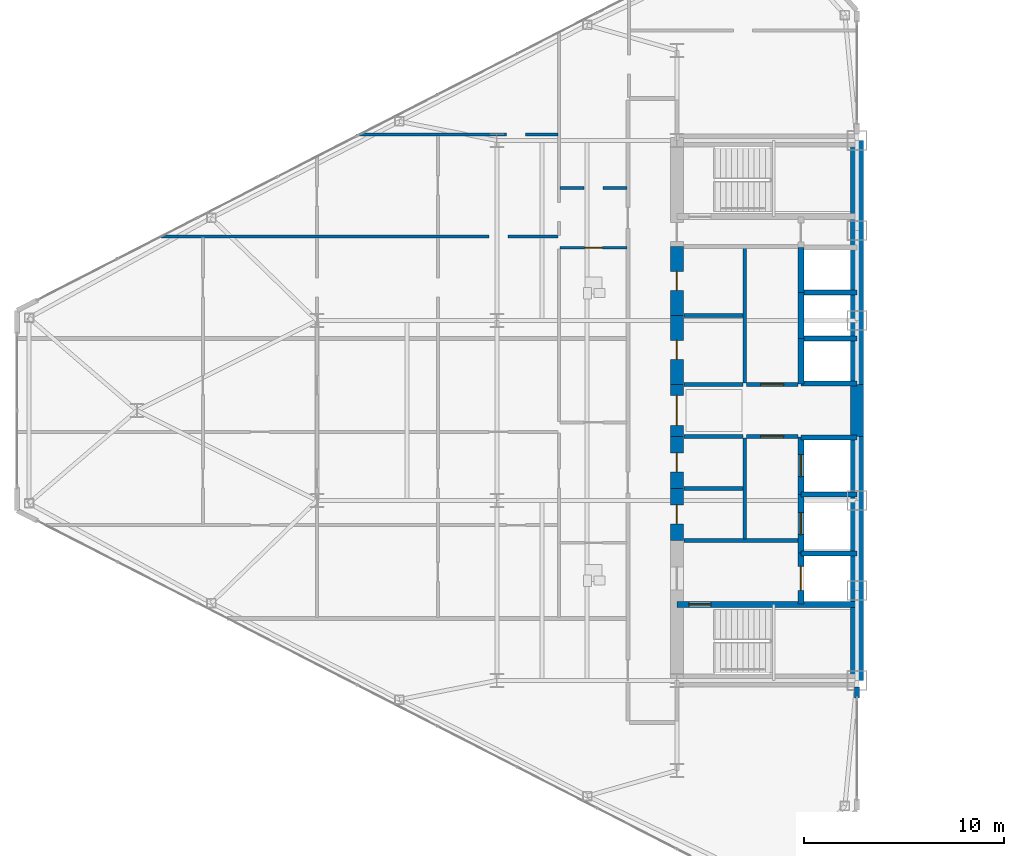
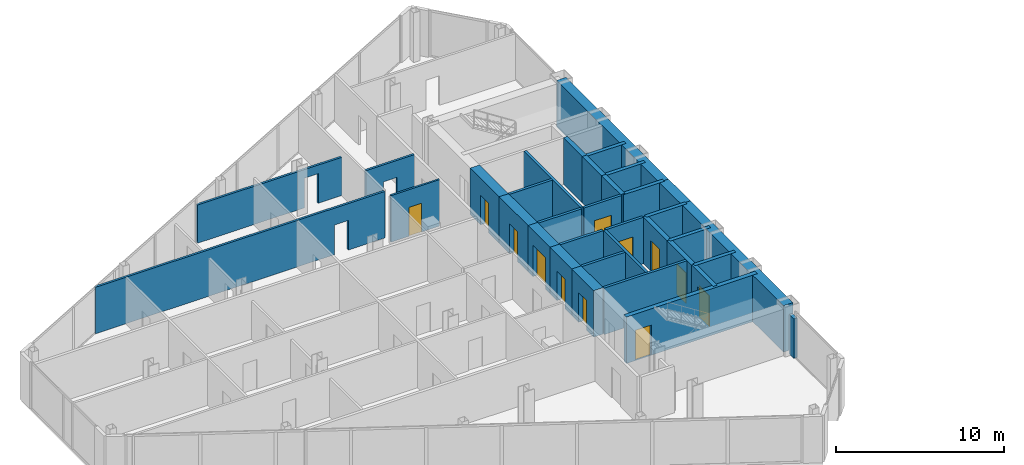
# One storey, part 17 of 24: 35 walls, 12 doors, 15 openings.
"""IFC4 building model written with IfcOpenShell, lengths in metres."""

from ifc_helpers import new_model, si_unit, direction, frame, frame_2d, origin, place, context, subcontext, project, spatial, rectangle, extrude, source, transform, mapped, material, layer, layer_set, type_object, type_shapes, element, fill, save


model = new_model("IFC4")

# Units and contexts
model_context = context("Model", 3, precision=1e-05, world=origin(), true_north=direction((0.0, 1.0)))
body_context = subcontext(model_context, "Body", "Model", "MODEL_VIEW")
ifc_project = project(units=[si_unit("LENGTHUNIT", "METRE"), si_unit("AREAUNIT", "SQUARE_METRE"), si_unit("VOLUMEUNIT", "CUBIC_METRE"), si_unit("PLANEANGLEUNIT", "RADIAN"), si_unit("MASSUNIT", "GRAM", prefix="KILO")], contexts=[model_context])

# Site, building, storey
site_placement = place(None, origin())
site = spatial("IfcSite", under=ifc_project, at=site_placement, CompositionType="ELEMENT")
building_placement = place(site_placement, origin())
building = spatial("IfcBuilding", under=site, at=building_placement, Name="Seokmaru Belvedere", CompositionType="ELEMENT")
storey_placement = place(building_placement, frame((0.0, 0.0, 117.60009765625)))
storey = spatial("IfcBuildingStorey", under=building, at=storey_placement, Name="L31", CompositionType="ELEMENT", Elevation=117.60009765625)

# Wall, opening
ifc_material_1 = material(Name="Fire-Rated Gypsum Shaftwall")
ifc_layer_1 = layer(ifc_material_1, 0.14990234375)
ifc_layer_set_1 = layer_set([ifc_layer_1], Name="Fire-Rated Gypsum Shaftwall")
wall_type_1 = type_object("IfcWallType", Name="Apartment Fire-Acoustic Room Partition 150", PredefinedType="PARTITIONING", material=ifc_layer_set_1)
wall_1_placement = place(storey_placement, frame((-62.321044921875, 8.699951171875, 0.0), z_axis=(0.0, 0.0, 1.0), x_axis=(1.0, 0.0, 0.0)))
wall_1 = element("IfcWall", 1, at=wall_1_placement, inside=storey, type_object=wall_type_1, Name="L31 Interior Partition 020", PredefinedType="PARTITIONING", context=body_context, shape_type="SweptSolid", body=[
    extrude(rectangle(XDim=19.87109375, YDim=0.14990234375, at=frame_2d((9.935546875, 0.0))), origin(), (0.0, 0.0, 1.0), 3.3798828125),
])
opening_1_placement = place(wall_1_placement, frame((16.4208984375, 0.0, 0.0)))
element("IfcOpeningElement", 2, at=opening_1_placement, cuts=wall_1, Name="L31 Cased Opening 020", PredefinedType="OPENING", context=body_context, shape_type="SweptSolid", body=[
    extrude(rectangle(XDim=0.949951171875, YDim=2.14990234375, at=frame_2d((0.47509765625, 1.074951171875))), frame((0.0, 0.0849609375, 0.0), z_axis=(0.0, -1.0, 0.0), x_axis=(1.0, 0.0, 0.0)), (0.0, 0.0, 1.0), 0.169921875),
])

wall_2_placement = place(storey_placement, frame((-42.35009765625, 11.1298828125, 0.0), z_axis=(0.0, 0.0, 1.0), x_axis=(1.0, 0.0, 0.0)))
wall_2 = element("IfcWall", 3, at=wall_2_placement, inside=storey, type_object=wall_type_1, Name="L31 Interior Partition 022", PredefinedType="PARTITIONING", context=body_context, shape_type="SweptSolid", body=[
    extrude(rectangle(XDim=3.35009765625, YDim=0.14990234375, at=frame_2d((1.675048828125, 0.0))), origin(), (0.0, 0.0, 1.0), 3.3798828125),
])
opening_2_placement = place(wall_2_placement, frame((1.199951171875, 0.0, 0.0)))
element("IfcOpeningElement", 4, at=opening_2_placement, cuts=wall_2, Name="L31 Cased Opening 018", PredefinedType="OPENING", context=body_context, shape_type="SweptSolid", body=[
    extrude(rectangle(XDim=0.949951171875, YDim=2.14990234375, at=frame_2d((0.47509765625, 1.074951171875))), frame((0.0, 0.0849609375, 0.0), z_axis=(0.0, -1.0, 0.0), x_axis=(1.0, 0.0, 0.0)), (0.0, 0.0, 1.0), 0.169921875),
])

wall_3_placement = place(storey_placement, frame((-52.3779296875, 13.800048828125, 0.0), z_axis=(0.0, 0.0, 1.0), x_axis=(1.0, 0.0, 0.0)))
wall_3 = element("IfcWall", 5, at=wall_3_placement, inside=storey, type_object=wall_type_1, Name="L31 Interior Partition 023", PredefinedType="PARTITIONING", context=body_context, shape_type="SweptSolid", body=[
    extrude(rectangle(XDim=9.927978515625, YDim=0.14990234375, at=frame_2d((4.9638671875, 0.0))), origin(), (0.0, 0.0, 1.0), 2.77978515625),
])
opening_3_placement = place(wall_3_placement, frame((7.351318359375, 0.0, 0.0)))
element("IfcOpeningElement", 6, at=opening_3_placement, cuts=wall_3, Name="L31 Cased Opening 022", PredefinedType="OPENING", context=body_context, shape_type="SweptSolid", body=[
    extrude(rectangle(XDim=0.949951171875, YDim=2.14990234375, at=frame_2d((0.47509765625, 1.074951171875))), frame((0.0, 0.0849609375, 0.0), z_axis=(0.0, -1.0, 0.0), x_axis=(1.0, 0.0, 0.0)), (0.0, 0.0, 1.0), 0.169921875),
])

# Walls
ifc_layer_2 = layer(ifc_material_1, 0.179931640625)
ifc_layer_set_2 = layer_set([ifc_layer_2], Name="Fire-Rated Gypsum Shaftwall")
wall_type_2 = type_object("IfcWallType", Name="Core Service Fire Partition 180", PredefinedType="PARTITIONING", material=ifc_layer_set_2)
wall_4_placement = place(storey_placement, frame((-36.14990234375, -6.5, 0.0), z_axis=(0.0, 0.0, 1.0), x_axis=(1.0, 0.0, 0.0)))
element("IfcWall", 7, at=wall_4_placement, inside=storey, type_object=wall_type_2, Name="L31 West Firefighting Lobby Partition", PredefinedType="PARTITIONING", context=body_context, shape_type="SweptSolid", body=[
    extrude(rectangle(XDim=5.699951171875, YDim=0.179931640625, at=frame_2d((2.85009765625, 0.0))), origin(), (0.0, 0.0, 1.0), 3.3798828125),
])
wall_5_placement = place(storey_placement, frame((-33.10009765625, -6.419921875, 0.0), z_axis=(0.0, 0.0, 1.0), x_axis=(0.0, 1.0, 0.0)))
element("IfcWall", 8, at=wall_5_placement, inside=storey, type_object=wall_type_2, Name="L31 West South Core Service Back Wall", PredefinedType="PARTITIONING", context=body_context, shape_type="SweptSolid", body=[
    extrude(rectangle(XDim=5.0400390625, YDim=0.179931640625, at=frame_2d((2.52001953125, 0.0))), origin(), (0.0, 0.0, 1.0), 3.3798828125),
])
wall_6_placement = place(storey_placement, frame((-33.10009765625, 1.3798828125, 0.0), z_axis=(0.0, 0.0, 1.0), x_axis=(0.0, 1.0, 0.0)))
element("IfcWall", 9, at=wall_6_placement, inside=storey, type_object=wall_type_2, Name="L31 West North Core Service Back Wall", PredefinedType="PARTITIONING", context=body_context, shape_type="SweptSolid", body=[
    extrude(rectangle(XDim=6.740234375, YDim=0.179931640625, at=frame_2d((3.3701171875, 0.0))), origin(), (0.0, 0.0, 1.0), 3.3798828125),
])

# Wall, opening, door
wall_7_placement = place(storey_placement, frame((-33.02001953125, -1.300048828125, 0.0), z_axis=(0.0, 0.0, 1.0), x_axis=(1.0, 0.0, 0.0)))
wall_7 = element("IfcWall", 10, at=wall_7_placement, inside=storey, type_object=wall_type_2, Name="L31 West South Lift Lobby Foyer Wall", PredefinedType="PARTITIONING", context=body_context, shape_type="SweptSolid", body=[
    extrude(rectangle(XDim=2.570068359375, YDim=0.179931640625, at=frame_2d((1.28515625, 0.0))), origin(), (0.0, 0.0, 1.0), 3.3798828125),
])
opening_4_placement = place(wall_7_placement, frame((0.7099609375, 0.0, 0.0)))
opening_4 = element("IfcOpeningElement", 11, at=opening_4_placement, cuts=wall_7, Name="Opening D02", PredefinedType="OPENING", context=body_context, shape_type="SweptSolid", body=[
    extrude(rectangle(XDim=1.14990234375, YDim=2.199951171875, at=frame_2d((0.574951171875, 1.10009765625))), frame((0.0, 0.10009765625, 0.0), z_axis=(0.0, -1.0, 0.0), x_axis=(1.0, 0.0, 0.0)), (0.0, 0.0, 1.0), 0.199951171875),
])
ifc_material_2 = material(Name="Fire-Rated Steel Leaf", Category="steel")
door_type_1 = type_object("IfcDoorType", Name="Lobby and Vestibule Fire Door 1150x2200", OperationType="NOTDEFINED", PredefinedType="DOOR", material=ifc_material_2)
shared_shape_1 = source(origin(), body_context, "Body", "SweptSolid", [
    extrude(rectangle(XDim=1.14990234375, YDim=2.199951171875, at=frame_2d((0.574951171875, 1.10009765625))), frame((0.0, 0.02490234375, 0.0), z_axis=(0.0, -1.0, 0.0), x_axis=(1.0, 0.0, 0.0)), (0.0, 0.0, 1.0), 0.050048828125),
])
type_shapes(door_type_1, [shared_shape_1])
door_1_placement = place(opening_4_placement, origin())
door_1 = element("IfcDoor", 12, at=door_1_placement, inside=storey, type_object=door_type_1, Name="L31 West South Core Foyer Door", OperationType="SINGLE_SWING_LEFT", OverallHeight=2.199951171875, OverallWidth=1.14990234375, PredefinedType="DOOR", context=body_context, shape_type="MappedRepresentation", body=[
    mapped(shared_shape_1, transform((0.0, 0.0, 0.0), scale=1.0)),
])
fill(opening_4, door_1)

wall_8_placement = place(storey_placement, frame((-33.02001953125, 1.300048828125, 0.0), z_axis=(0.0, 0.0, 1.0), x_axis=(1.0, 0.0, 0.0)))
wall_8 = element("IfcWall", 13, at=wall_8_placement, inside=storey, type_object=wall_type_2, Name="L31 West North Lift Lobby Foyer Wall", PredefinedType="PARTITIONING", context=body_context, shape_type="SweptSolid", body=[
    extrude(rectangle(XDim=2.570068359375, YDim=0.179931640625, at=frame_2d((1.28515625, 0.0))), origin(), (0.0, 0.0, 1.0), 3.3798828125),
])
opening_5_placement = place(wall_8_placement, frame((0.7099609375, 0.0, 0.0)))
opening_5 = element("IfcOpeningElement", 14, at=opening_5_placement, cuts=wall_8, Name="Opening D02", PredefinedType="OPENING", context=body_context, shape_type="SweptSolid", body=[
    extrude(rectangle(XDim=1.14990234375, YDim=2.199951171875, at=frame_2d((0.574951171875, 1.10009765625))), frame((0.0, 0.10009765625, 0.0), z_axis=(0.0, -1.0, 0.0), x_axis=(1.0, 0.0, 0.0)), (0.0, 0.0, 1.0), 0.199951171875),
])
door_2_placement = place(opening_5_placement, origin())
door_2 = element("IfcDoor", 15, at=door_2_placement, inside=storey, type_object=door_type_1, Name="L31 West North Lift Lobby Door", OperationType="SINGLE_SWING_RIGHT", OverallHeight=2.199951171875, OverallWidth=1.14990234375, PredefinedType="DOOR", context=body_context, shape_type="MappedRepresentation", body=[
    mapped(shared_shape_1, transform((0.0, 0.0, 0.0), scale=1.0)),
])
fill(opening_5, door_2)

# Walls
for number, where, z_axis, x_axis, name in (
    (16, (-36.14990234375, -1.300048828125, 0.0), (0.0, 0.0, 1.0), (1.0, 0.0, 0.0), "L31 West Foyer Side Wall S"),
    (17, (-36.14990234375, 1.300048828125, 0.0), (0.0, 0.0, 1.0), (1.0, 0.0, 0.0), "L31 West Foyer Side Wall N"),
    (18, (-36.14990234375, -3.89990234375, 0.0), (0.0, 0.0, 1.0), (1.0, 0.0, 0.0), "L31 West Core Service Partition 1"),
    (19, (-36.14990234375, 4.75, 0.0), (0.0, 0.0, 1.0), (1.0, 0.0, 0.0), "L31 West Core Service Partition 2"),
):
    element("IfcWall", number, at=place(storey_placement, frame(where, z_axis=z_axis, x_axis=x_axis)), inside=storey, type_object=wall_type_2, Name=name, PredefinedType="PARTITIONING", context=body_context, shape_type="SweptSolid", body=[
        extrude(rectangle(XDim=2.949951171875, YDim=0.179931640625, at=frame_2d((1.47509765625, 0.0))), origin(), (0.0, 0.0, 1.0), 3.3798828125),
    ])
ifc_material_3 = material(Name="Concrete C50 (50 MPa)", Category="concrete")
ifc_layer_3 = layer(ifc_material_3, 0.25)
ifc_layer_set_3 = layer_set([ifc_layer_3], Name="Concrete C50 (50 MPa)")
wall_type_3 = type_object("IfcWallType", Name="Hoistway Transverse Concrete Divider Wall 250", PredefinedType="SHEAR", material=ifc_layer_set_3)
for number, where, z_axis, x_axis, name in (
    (20, (-30.300048828125, -7.14990234375, 0.0), (0.0, 0.0, 1.0), (1.0, 0.0, 0.0), "L31 West Hoistway Divider Core Wall 1"),
    (21, (-30.300048828125, -4.199951171875, 0.0), (0.0, 0.0, 1.0), (1.0, 0.0, 0.0), "L31 West Hoistway Divider Core Wall 2"),
    (22, (-30.300048828125, -1.35009765625, 0.0), (0.0, 0.0, 1.0), (1.0, 0.0, 0.0), "L31 West Hoistway Divider Core Wall 3"),
    (23, (-30.300048828125, 1.35009765625, 0.0), (0.0, 0.0, 1.0), (1.0, 0.0, 0.0), "L31 West Hoistway Divider Core Wall 4"),
    (24, (-30.300048828125, 3.60009765625, 0.0), (0.0, 0.0, 1.0), (1.0, 0.0, 0.0), "L31 West Hoistway Divider Core Wall 5"),
    (25, (-30.300048828125, 5.89990234375, 0.0), (0.0, 0.0, 1.0), (1.0, 0.0, 0.0), "L31 West Hoistway Divider Core Wall 6"),
):
    element("IfcWall", number, at=place(storey_placement, frame(where, z_axis=z_axis, x_axis=x_axis)), inside=storey, type_object=wall_type_3, Name=name, PredefinedType="SHEAR", context=body_context, shape_type="SweptSolid", body=[
        extrude(rectangle(XDim=2.800048828125, YDim=0.25, at=frame_2d((1.39990234375, 0.0))), origin(), (0.0, 0.0, 1.0), 3.3798828125),
    ])

# Wall, opening, door
ifc_layer_4 = layer(ifc_material_3, 0.300048828125)
ifc_layer_set_4 = layer_set([ifc_layer_4], Name="Concrete C50 (50 MPa)")
wall_type_4 = type_object("IfcWallType", Name="Internal Core Stair and Hoistway Wall 300", PredefinedType="SHEAR", material=ifc_layer_set_4)
wall_9_placement = place(storey_placement, frame((-36.5, -9.699951171875, 0.0), z_axis=(0.0, 0.0, 1.0), x_axis=(1.0, 0.0, 0.0)))
wall_9 = element("IfcWall", 26, at=wall_9_placement, inside=storey, type_object=wall_type_4, Name="L31 West Stair ST-1 Enclosure Wall", PredefinedType="SHEAR", context=body_context, shape_type="SweptSolid", body=[
    extrude(rectangle(XDim=9.0, YDim=0.300048828125, at=frame_2d((4.5, 0.0))), origin(), (0.0, 0.0, 1.0), 3.3798828125),
])
opening_6_placement = place(wall_9_placement, frame((0.60009765625, 0.0, 0.0)))
opening_6 = element("IfcOpeningElement", 27, at=opening_6_placement, cuts=wall_9, Name="Opening D01", PredefinedType="OPENING", context=body_context, shape_type="SweptSolid", body=[
    extrude(rectangle(XDim=1.10009765625, YDim=2.199951171875, at=frame_2d((0.550048828125, 1.10009765625))), frame((0.0, 0.16015625, 0.0), z_axis=(0.0, -1.0, 0.0), x_axis=(1.0, 0.0, 0.0)), (0.0, 0.0, 1.0), 0.320068359375),
])
door_type_2 = type_object("IfcDoorType", Name="Special Escape Stair Smokeproof Fire Door 1100x2200", OperationType="NOTDEFINED", PredefinedType="DOOR", material=ifc_material_2)
shared_shape_2 = source(origin(), body_context, "Body", "SweptSolid", [
    extrude(rectangle(XDim=1.10009765625, YDim=2.199951171875, at=frame_2d((0.550048828125, 1.10009765625))), frame((0.0, 0.02490234375, 0.0), z_axis=(0.0, -1.0, 0.0), x_axis=(1.0, 0.0, 0.0)), (0.0, 0.0, 1.0), 0.050048828125),
])
type_shapes(door_type_2, [shared_shape_2])
door_3_placement = place(opening_6_placement, frame((1.10009765625, 0.0, 0.0), z_axis=(0.0, 0.0, 1.0), x_axis=(-1.0, 0.0, 0.0)))
door_3 = element("IfcDoor", 28, at=door_3_placement, inside=storey, type_object=door_type_2, Name="L31 West Special Escape Stair ST-1 Door", OperationType="SINGLE_SWING_LEFT", OverallHeight=2.199951171875, OverallWidth=1.10009765625, PredefinedType="DOOR", context=body_context, shape_type="MappedRepresentation", body=[
    mapped(shared_shape_2, transform((0.0, 0.0, 0.0), scale=1.0)),
])
fill(opening_6, door_3)

wall_10_placement = place(storey_placement, frame((-30.300048828125, -9.679931640625, 0.0), z_axis=(0.0, 0.0, 1.0), x_axis=(0.0, 1.0, 0.0)))
wall_10 = element("IfcWall", 29, at=wall_10_placement, inside=storey, type_object=wall_type_4, Name="L31 West Firefighting Lift Shaft Front Wall", PredefinedType="SHEAR", context=body_context, shape_type="SweptSolid", body=[
    extrude(rectangle(XDim=2.559814453125, YDim=0.300048828125, at=frame_2d((1.27978515625, 0.0))), origin(), (0.0, 0.0, 1.0), 3.3798828125),
])
opening_7_placement = place(wall_10_placement, frame((0.679931640625, 0.0, 0.0)))
opening_7 = element("IfcOpeningElement", 30, at=opening_7_placement, cuts=wall_10, Name="Opening LD2", PredefinedType="OPENING", context=body_context, shape_type="SweptSolid", body=[
    extrude(rectangle(XDim=1.199951171875, YDim=2.25, at=frame_2d((0.60009765625, 1.125))), frame((0.0, 0.16015625, 0.0), z_axis=(0.0, -1.0, 0.0), x_axis=(1.0, 0.0, 0.0)), (0.0, 0.0, 1.0), 0.320068359375),
])
ifc_material_4 = material(Name="Stainless Steel 316", Category="steel")
door_type_3 = type_object("IfcDoorType", Name="Firefighting Lift Sliding Landing Door 1200x2250", OperationType="DOUBLE_DOOR_SLIDING", PredefinedType="DOOR", material=ifc_material_4)
shared_shape_3 = source(origin(), body_context, "Body", "SweptSolid", [
    extrude(rectangle(XDim=1.199951171875, YDim=2.25, at=frame_2d((0.60009765625, 1.125))), frame((0.0, 0.02490234375, 0.0), z_axis=(0.0, -1.0, 0.0), x_axis=(1.0, 0.0, 0.0)), (0.0, 0.0, 1.0), 0.050048828125),
])
type_shapes(door_type_3, [shared_shape_3])
door_4_placement = place(opening_7_placement, origin())
door_4 = element("IfcDoor", 31, at=door_4_placement, inside=storey, type_object=door_type_3, Name="L31 West Firefighting Lift Landing Door", OperationType="DOUBLE_DOOR_SLIDING", OverallHeight=2.25, OverallWidth=1.199951171875, PredefinedType="DOOR", context=body_context, shape_type="MappedRepresentation", body=[
    mapped(shared_shape_3, transform((0.0, 0.0, 0.0), scale=1.0)),
])
fill(opening_7, door_4)

wall_11_placement = place(storey_placement, frame((-30.300048828125, -7.1201171875, 0.0), z_axis=(0.0, 0.0, 1.0), x_axis=(0.0, 1.0, 0.0)))
wall_11 = element("IfcWall", 32, at=wall_11_placement, inside=storey, type_object=wall_type_4, Name="L31 West Low-Rise Lift PL-1 Front Wall", PredefinedType="SHEAR", context=body_context, shape_type="SweptSolid", body=[
    extrude(rectangle(XDim=2.920166015625, YDim=0.300048828125, at=frame_2d((1.4599609375, 0.0))), origin(), (0.0, 0.0, 1.0), 3.3798828125),
])
opening_8_placement = place(wall_11_placement, frame((0.909912109375, 0.0, 0.0)))
opening_8 = element("IfcOpeningElement", 33, at=opening_8_placement, cuts=wall_11, Name="Opening LD1", PredefinedType="OPENING", context=body_context, shape_type="SweptSolid", body=[
    extrude(rectangle(XDim=1.10009765625, YDim=2.199951171875, at=frame_2d((0.550048828125, 1.10009765625))), frame((0.0, 0.16015625, 0.0), z_axis=(0.0, -1.0, 0.0), x_axis=(1.0, 0.0, 0.0)), (0.0, 0.0, 1.0), 0.320068359375),
])
door_type_4 = type_object("IfcDoorType", Name="Passenger Lift Sliding Landing Door 1100x2200", OperationType="DOUBLE_DOOR_SLIDING", PredefinedType="DOOR", material=ifc_material_4)
shared_shape_4 = source(origin(), body_context, "Body", "SweptSolid", [
    extrude(rectangle(XDim=1.10009765625, YDim=2.199951171875, at=frame_2d((0.550048828125, 1.10009765625))), frame((0.0, 0.02490234375, 0.0), z_axis=(0.0, -1.0, 0.0), x_axis=(1.0, 0.0, 0.0)), (0.0, 0.0, 1.0), 0.050048828125),
])
type_shapes(door_type_4, [shared_shape_4])
door_5_placement = place(opening_8_placement, origin())
door_5 = element("IfcDoor", 34, at=door_5_placement, inside=storey, type_object=door_type_4, Name="L31 West Low-Rise Lift PL-1 Landing Door", OperationType="DOUBLE_DOOR_SLIDING", OverallHeight=2.199951171875, OverallWidth=1.10009765625, PredefinedType="DOOR", context=body_context, shape_type="MappedRepresentation", body=[
    mapped(shared_shape_4, transform((0.0, 0.0, 0.0), scale=1.0)),
])
fill(opening_8, door_5)

wall_12_placement = place(storey_placement, frame((-30.300048828125, -4.199951171875, 0.0), z_axis=(0.0, 0.0, 1.0), x_axis=(0.0, 1.0, 0.0)))
wall_12 = element("IfcWall", 35, at=wall_12_placement, inside=storey, type_object=wall_type_4, Name="L31 West Low-Rise Lift PL-2 Front Wall", PredefinedType="SHEAR", context=body_context, shape_type="SweptSolid", body=[
    extrude(rectangle(XDim=2.8798828125, YDim=0.300048828125, at=frame_2d((1.43994140625, 0.0))), origin(), (0.0, 0.0, 1.0), 3.3798828125),
])
opening_9_placement = place(wall_12_placement, frame((0.889892578125, 0.0, 0.0)))
opening_9 = element("IfcOpeningElement", 36, at=opening_9_placement, cuts=wall_12, Name="Opening LD1", PredefinedType="OPENING", context=body_context, shape_type="SweptSolid", body=[
    extrude(rectangle(XDim=1.10009765625, YDim=2.199951171875, at=frame_2d((0.550048828125, 1.10009765625))), frame((0.0, 0.16015625, 0.0), z_axis=(0.0, -1.0, 0.0), x_axis=(1.0, 0.0, 0.0)), (0.0, 0.0, 1.0), 0.320068359375),
])
door_6_placement = place(opening_9_placement, origin())
door_6 = element("IfcDoor", 37, at=door_6_placement, inside=storey, type_object=door_type_4, Name="L31 West Low-Rise Lift PL-2 Landing Door", OperationType="DOUBLE_DOOR_SLIDING", OverallHeight=2.199951171875, OverallWidth=1.10009765625, PredefinedType="DOOR", context=body_context, shape_type="MappedRepresentation", body=[
    mapped(shared_shape_4, transform((0.0, 0.0, 0.0), scale=1.0)),
])
fill(opening_9, door_6)

# Walls
wall_13_placement = place(storey_placement, frame((-30.300048828125, 1.320068359375, 0.0), z_axis=(0.0, 0.0, 1.0), x_axis=(0.0, 1.0, 0.0)))
element("IfcWall", 38, at=wall_13_placement, inside=storey, type_object=wall_type_4, Name="L31 West North Hoistway Wall PH1", PredefinedType="SHEAR", context=body_context, shape_type="SweptSolid", body=[
    extrude(rectangle(XDim=2.280029296875, YDim=0.300048828125, at=frame_2d((1.14013671875, 0.0))), origin(), (0.0, 0.0, 1.0), 3.3798828125),
])
wall_14_placement = place(storey_placement, frame((-30.300048828125, 3.60009765625, 0.0), z_axis=(0.0, 0.0, 1.0), x_axis=(0.0, 1.0, 0.0)))
element("IfcWall", 39, at=wall_14_placement, inside=storey, type_object=wall_type_4, Name="L31 West North Hoistway Wall PH2", PredefinedType="SHEAR", context=body_context, shape_type="SweptSolid", body=[
    extrude(rectangle(XDim=2.2998046875, YDim=0.300048828125, at=frame_2d((1.14990234375, 0.0))), origin(), (0.0, 0.0, 1.0), 3.3798828125),
])
wall_15_placement = place(storey_placement, frame((-30.300048828125, 5.89990234375, 0.0), z_axis=(0.0, 0.0, 1.0), x_axis=(0.0, 1.0, 0.0)))
element("IfcWall", 40, at=wall_15_placement, inside=storey, type_object=wall_type_4, Name="L31 West North Hoistway Wall OBS", PredefinedType="SHEAR", context=body_context, shape_type="SweptSolid", body=[
    extrude(rectangle(XDim=2.25, YDim=0.300048828125, at=frame_2d((1.125, 0.0))), origin(), (0.0, 0.0, 1.0), 3.3798828125),
])
ifc_material_5 = material(Name="Concrete C60 (60 MPa)", Category="concrete")
ifc_layer_5 = layer(ifc_material_5, 0.64990234375)
ifc_layer_set_5 = layer_set([ifc_layer_5], Name="Concrete C60 (60 MPa)")
wall_type_5 = type_object("IfcWallType", Name="Mid-Low Reinforced Concrete Core Wall 650", PredefinedType="SHEAR", material=ifc_layer_set_5)
for number, where, z_axis, x_axis, name in (
    (41, (-27.5, -13.5, 0.0), (0.0, 0.0, 1.0), (0.0, 1.0, 0.0), "L31 West Portal Spine Core Wall South"),
    (42, (-27.5, 1.300048828125, 0.0), (0.0, 0.0, 1.0), (0.0, 1.0, 0.0), "L31 West Portal Spine Core Wall North"),
):
    element("IfcWall", number, at=place(storey_placement, frame(where, z_axis=z_axis, x_axis=x_axis)), inside=storey, type_object=wall_type_5, Name=name, PredefinedType="SHEAR", context=body_context, shape_type="SweptSolid", body=[
        extrude(rectangle(XDim=12.199951171875, YDim=0.64990234375, at=frame_2d((6.10009765625, 0.0))), origin(), (0.0, 0.0, 1.0), 3.3798828125),
    ])
wall_16_placement = place(storey_placement, frame((-27.5, -1.300048828125, 0.0), z_axis=(0.0, 0.0, 1.0), x_axis=(0.0, 1.0, 0.0)))
element("IfcWall", 43, at=wall_16_placement, inside=storey, type_object=wall_type_5, Name="L31 West Portal Spine Core Wall Center", PredefinedType="SHEAR", context=body_context, shape_type="SweptSolid", body=[
    extrude(rectangle(XDim=2.60009765625, YDim=0.64990234375, at=frame_2d((1.300048828125, 0.0))), origin(), (0.0, 0.0, 1.0), 3.3798828125),
])

# Wall, opening, door
wall_17_placement = place(storey_placement, frame((-36.5, -1.300048828125, 0.0), z_axis=(0.0, 0.0, 1.0), x_axis=(0.0, 1.0, 0.0)))
wall_17 = element("IfcWall", 44, at=wall_17_placement, inside=storey, type_object=wall_type_5, Name="L31 West West Core Wall FOY", PredefinedType="SHEAR", context=body_context, shape_type="SweptSolid", body=[
    extrude(rectangle(XDim=2.60009765625, YDim=0.64990234375, at=frame_2d((1.300048828125, 0.0))), origin(), (0.0, 0.0, 1.0), 3.3798828125),
])
opening_10_placement = place(wall_17_placement, frame((0.550048828125, 0.0, 0.0)))
opening_10 = element("IfcOpeningElement", 45, at=opening_10_placement, cuts=wall_17, Name="Opening D08", PredefinedType="OPENING", context=body_context, shape_type="SweptSolid", body=[
    extrude(rectangle(XDim=1.5, YDim=2.300048828125, at=frame_2d((0.75, 1.14990234375))), frame((0.0, 0.3349609375, 0.0), z_axis=(0.0, -1.0, 0.0), x_axis=(1.0, 0.0, 0.0)), (0.0, 0.0, 1.0), 0.669921875),
])
door_type_5 = type_object("IfcDoorType", Name="Cross-Corridor Compartment Double Fire Door 1500x2300", OperationType="DOUBLE_SWING_LEFT", PredefinedType="DOOR", material=ifc_material_2)
shared_shape_5 = source(origin(), body_context, "Body", "SweptSolid", [
    extrude(rectangle(XDim=1.5, YDim=2.300048828125, at=frame_2d((0.75, 1.14990234375))), frame((0.0, 0.02490234375, 0.0), z_axis=(0.0, -1.0, 0.0), x_axis=(1.0, 0.0, 0.0)), (0.0, 0.0, 1.0), 0.050048828125),
])
type_shapes(door_type_5, [shared_shape_5])
door_7_placement = place(opening_10_placement, origin())
door_7 = element("IfcDoor", 46, at=door_7_placement, inside=storey, type_object=door_type_5, Name="L31 West Core Foyer Compartment Door", OperationType="DOUBLE_SWING_LEFT", OverallHeight=2.300048828125, OverallWidth=1.5, PredefinedType="DOOR", context=body_context, shape_type="MappedRepresentation", body=[
    mapped(shared_shape_5, transform((0.0, 0.0, 0.0), scale=1.0)),
])
fill(opening_10, door_7)

wall_18_placement = place(storey_placement, frame((-36.5, -6.5, 0.0), z_axis=(0.0, 0.0, 1.0), x_axis=(0.0, 1.0, 0.0)))
wall_18 = element("IfcWall", 47, at=wall_18_placement, inside=storey, type_object=wall_type_5, Name="L31 West West Core Wall CS1", PredefinedType="SHEAR", context=body_context, shape_type="SweptSolid", body=[
    extrude(rectangle(XDim=2.60009765625, YDim=0.64990234375, at=frame_2d((1.300048828125, 0.0))), origin(), (0.0, 0.0, 1.0), 3.3798828125),
])
opening_11_placement = place(wall_18_placement, frame((0.824951171875, 0.0, 0.0)))
opening_11 = element("IfcOpeningElement", 48, at=opening_11_placement, cuts=wall_18, Name="Opening D04", PredefinedType="OPENING", context=body_context, shape_type="SweptSolid", body=[
    extrude(rectangle(XDim=0.949951171875, YDim=2.14990234375, at=frame_2d((0.47509765625, 1.074951171875))), frame((0.0, 0.3349609375, 0.0), z_axis=(0.0, -1.0, 0.0), x_axis=(1.0, 0.0, 0.0)), (0.0, 0.0, 1.0), 0.669921875),
])
door_type_6 = type_object("IfcDoorType", Name="Core Service Room Fire Door 950x2150", OperationType="NOTDEFINED", PredefinedType="DOOR", material=ifc_material_2)
shared_shape_6 = source(origin(), body_context, "Body", "SweptSolid", [
    extrude(rectangle(XDim=0.949951171875, YDim=2.14990234375, at=frame_2d((0.47509765625, 1.074951171875))), frame((0.0, 0.02490234375, 0.0), z_axis=(0.0, -1.0, 0.0), x_axis=(1.0, 0.0, 0.0)), (0.0, 0.0, 1.0), 0.050048828125),
])
type_shapes(door_type_6, [shared_shape_6])
door_8_placement = place(opening_11_placement, origin())
door_8 = element("IfcDoor", 49, at=door_8_placement, inside=storey, type_object=door_type_6, Name="L31 West Core Service Room Door 1", OperationType="SINGLE_SWING_LEFT", OverallHeight=2.14990234375, OverallWidth=0.949951171875, PredefinedType="DOOR", context=body_context, shape_type="MappedRepresentation", body=[
    mapped(shared_shape_6, transform((0.0, 0.0, 0.0), scale=1.0)),
])
fill(opening_11, door_8)

wall_19_placement = place(storey_placement, frame((-36.5, -3.89990234375, 0.0), z_axis=(0.0, 0.0, 1.0), x_axis=(0.0, 1.0, 0.0)))
wall_19 = element("IfcWall", 50, at=wall_19_placement, inside=storey, type_object=wall_type_5, Name="L31 West West Core Wall CS2", PredefinedType="SHEAR", context=body_context, shape_type="SweptSolid", body=[
    extrude(rectangle(XDim=2.599853515625, YDim=0.64990234375, at=frame_2d((1.2998046875, 0.0))), origin(), (0.0, 0.0, 1.0), 3.3798828125),
])
opening_12_placement = place(wall_19_placement, frame((0.824951171875, 0.0, 0.0)))
opening_12 = element("IfcOpeningElement", 51, at=opening_12_placement, cuts=wall_19, Name="Opening D04", PredefinedType="OPENING", context=body_context, shape_type="SweptSolid", body=[
    extrude(rectangle(XDim=0.949951171875, YDim=2.14990234375, at=frame_2d((0.47509765625, 1.074951171875))), frame((0.0, 0.3349609375, 0.0), z_axis=(0.0, -1.0, 0.0), x_axis=(1.0, 0.0, 0.0)), (0.0, 0.0, 1.0), 0.669921875),
])
door_9_placement = place(opening_12_placement, origin())
door_9 = element("IfcDoor", 52, at=door_9_placement, inside=storey, type_object=door_type_6, Name="L31 West Core Service Room Door 2", OperationType="SINGLE_SWING_RIGHT", OverallHeight=2.14990234375, OverallWidth=0.949951171875, PredefinedType="DOOR", context=body_context, shape_type="MappedRepresentation", body=[
    mapped(shared_shape_6, transform((0.0, 0.0, 0.0), scale=1.0)),
])
fill(opening_12, door_9)

wall_20_placement = place(storey_placement, frame((-36.5, 1.300048828125, 0.0), z_axis=(0.0, 0.0, 1.0), x_axis=(0.0, 1.0, 0.0)))
wall_20 = element("IfcWall", 53, at=wall_20_placement, inside=storey, type_object=wall_type_5, Name="L31 West West Core Wall CS3", PredefinedType="SHEAR", context=body_context, shape_type="SweptSolid", body=[
    extrude(rectangle(XDim=3.449951171875, YDim=0.64990234375, at=frame_2d((1.72509765625, 0.0))), origin(), (0.0, 0.0, 1.0), 3.3798828125),
])
opening_13_placement = place(wall_20_placement, frame((1.25, 0.0, 0.0)))
opening_13 = element("IfcOpeningElement", 54, at=opening_13_placement, cuts=wall_20, Name="Opening D04", PredefinedType="OPENING", context=body_context, shape_type="SweptSolid", body=[
    extrude(rectangle(XDim=0.949951171875, YDim=2.14990234375, at=frame_2d((0.47509765625, 1.074951171875))), frame((0.0, 0.3349609375, 0.0), z_axis=(0.0, -1.0, 0.0), x_axis=(1.0, 0.0, 0.0)), (0.0, 0.0, 1.0), 0.669921875),
])
door_10_placement = place(opening_13_placement, origin())
door_10 = element("IfcDoor", 55, at=door_10_placement, inside=storey, type_object=door_type_6, Name="L31 West Core Service Room Door 3", OperationType="SINGLE_SWING_LEFT", OverallHeight=2.14990234375, OverallWidth=0.949951171875, PredefinedType="DOOR", context=body_context, shape_type="MappedRepresentation", body=[
    mapped(shared_shape_6, transform((0.0, 0.0, 0.0), scale=1.0)),
])
fill(opening_13, door_10)

wall_21_placement = place(storey_placement, frame((-36.5, 4.75, 0.0), z_axis=(0.0, 0.0, 1.0), x_axis=(0.0, 1.0, 0.0)))
wall_21 = element("IfcWall", 56, at=wall_21_placement, inside=storey, type_object=wall_type_5, Name="L31 West West Core Wall CS4", PredefinedType="SHEAR", context=body_context, shape_type="SweptSolid", body=[
    extrude(rectangle(XDim=3.449951171875, YDim=0.64990234375, at=frame_2d((1.72509765625, 0.0))), origin(), (0.0, 0.0, 1.0), 3.3798828125),
])
opening_14_placement = place(wall_21_placement, frame((1.25, 0.0, 0.0)))
opening_14 = element("IfcOpeningElement", 57, at=opening_14_placement, cuts=wall_21, Name="Opening D04", PredefinedType="OPENING", context=body_context, shape_type="SweptSolid", body=[
    extrude(rectangle(XDim=0.949951171875, YDim=2.14990234375, at=frame_2d((0.47509765625, 1.074951171875))), frame((0.0, 0.3349609375, 0.0), z_axis=(0.0, -1.0, 0.0), x_axis=(1.0, 0.0, 0.0)), (0.0, 0.0, 1.0), 0.669921875),
])
door_11_placement = place(opening_14_placement, origin())
door_11 = element("IfcDoor", 58, at=door_11_placement, inside=storey, type_object=door_type_6, Name="L31 West Core Service Room Door 4", OperationType="SINGLE_SWING_RIGHT", OverallHeight=2.14990234375, OverallWidth=0.949951171875, PredefinedType="DOOR", context=body_context, shape_type="MappedRepresentation", body=[
    mapped(shared_shape_6, transform((0.0, 0.0, 0.0), scale=1.0)),
])
fill(opening_14, door_11)

ifc_layer_6 = layer(ifc_material_1, 0.1298828125)
ifc_layer_set_6 = layer_set([ifc_layer_6], Name="Fire-Rated Gypsum Shaftwall")
wall_type_6 = type_object("IfcWallType", Name="Moisture-Resistant Fire-Rated Bathroom Partition 130", PredefinedType="PARTITIONING", material=ifc_layer_set_6)
wall_22_placement = place(storey_placement, frame((-42.35009765625, 8.1298828125, 0.0), z_axis=(0.0, 0.0, 1.0), x_axis=(1.0, 0.0, 0.0)))
wall_22 = element("IfcWall", 59, at=wall_22_placement, inside=storey, type_object=wall_type_6, Name="L31 Interior Partition 019", PredefinedType="PARTITIONING", context=body_context, shape_type="SweptSolid", body=[
    extrude(rectangle(XDim=3.35009765625, YDim=0.1298828125, at=frame_2d((1.675048828125, 0.0))), origin(), (0.0, 0.0, 1.0), 3.3798828125),
])
opening_15_placement = place(wall_22_placement, frame((1.235107421875, 0.0, 0.0)))
opening_15 = element("IfcOpeningElement", 60, at=opening_15_placement, cuts=wall_22, Name="Opening D06", PredefinedType="OPENING", context=body_context, shape_type="SweptSolid", body=[
    extrude(rectangle(XDim=0.8798828125, YDim=2.10009765625, at=frame_2d((0.43994140625, 1.050048828125))), frame((0.0, 0.074951171875, 0.0), z_axis=(0.0, -1.0, 0.0), x_axis=(1.0, 0.0, 0.0)), (0.0, 0.0, 1.0), 0.14990234375),
])
ifc_material_6 = material(Name="Engineered White Oak Timber", Category="wood")
door_type_7 = type_object("IfcDoorType", Name="Bathroom and Restroom Fire-Rated Door 880x2100", OperationType="NOTDEFINED", PredefinedType="DOOR", material=ifc_material_6)
shared_shape_7 = source(origin(), body_context, "Body", "SweptSolid", [
    extrude(rectangle(XDim=0.8798828125, YDim=2.10009765625, at=frame_2d((0.43994140625, 1.050048828125))), frame((0.0, 0.02490234375, 0.0), z_axis=(0.0, -1.0, 0.0), x_axis=(1.0, 0.0, 0.0)), (0.0, 0.0, 1.0), 0.050048828125),
])
type_shapes(door_type_7, [shared_shape_7])
door_12_placement = place(opening_15_placement, origin())
door_12 = element("IfcDoor", 61, at=door_12_placement, inside=storey, type_object=door_type_7, Name="L31 Interior Door 017", OperationType="SINGLE_SWING_LEFT", OverallHeight=2.10009765625, OverallWidth=0.8798828125, PredefinedType="DOOR", context=body_context, shape_type="MappedRepresentation", body=[
    mapped(shared_shape_7, transform((0.0, 0.0, 0.0), scale=1.0)),
])
fill(opening_15, door_12)

# Wall
ifc_material_7 = material(Name="Anodised Bronze Aluminium", Category="aluminium")
ifc_layer_7 = layer(ifc_material_7, 0.239990234375)
ifc_layer_set_7 = layer_set([ifc_layer_7], Name="Anodised Bronze Aluminium")
wall_type_7 = type_object("IfcWallType", Name="Tower Corner Spandrel Closure Wall 240", PredefinedType="SOLIDWALL", material=ifc_layer_set_7)
wall_23_placement = place(storey_placement, frame((-27.5, -14.3798828125, 0.0), z_axis=(0.0, 0.0, 1.0), x_axis=(0.0, 1.0, 0.0)))
element("IfcWall", 62, at=wall_23_placement, inside=storey, type_object=wall_type_7, Name="L31 W Spine Closure Pier 1B", PredefinedType="SOLIDWALL", context=body_context, shape_type="SweptSolid", body=[
    extrude(rectangle(XDim=0.5498046875, YDim=0.239990234375, at=frame_2d((0.27490234375, 0.0))), origin(), (0.0, 0.0, 1.0), 2.8798828125),
])

save(model, "model.ifc")
